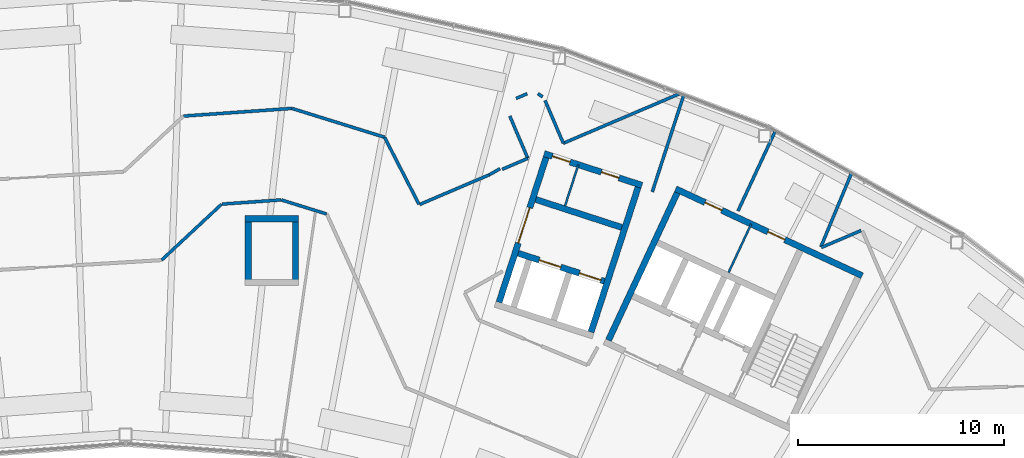
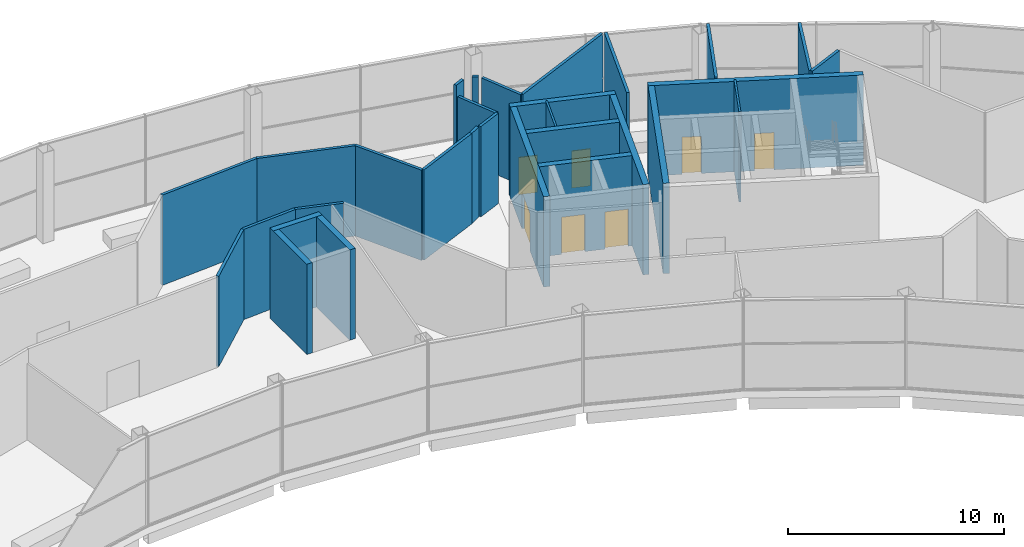
# One storey, part 39 of 43: 30 walls, 7 doors, 7 openings.
"""IFC4 building model written with IfcOpenShell, lengths in metres."""

import ifcopenshell
import ifcopenshell.guid

model = None  # the IFC model being written
_history = None  # IfcOwnerHistory: only IFC2X3 demands one
_inside = {}  # id of a spatial element -> (the spatial element, [elements in it])
_under = {}  # id of a project, library or spatial element -> (it, [spatial elements below it])
_declared = {}  # id of a project -> (the project, [libraries it declares])
_typed = {}  # id of a type object -> (the type object, [elements of that type])
_made_of = {}  # id of a material, layer set ... -> (it, [elements and type objects made of it])


def new_model(schema):
    """Start an empty IFC model of exactly this schema.

    Asked for "IFC4X3", IfcOpenShell would pick the latest addendum, in which some entities
    have other attributes; the version numbers below select the first issue.
    IFC2X3 requires an IfcOwnerHistory on every rooted entity: one is made here for all.
    """
    global model, _history
    if schema == "IFC4X3":
        model = ifcopenshell.file(schema_version=(4, 3, 0, 0))
    else:
        model = ifcopenshell.file(schema=schema)
    _inside.clear()
    _under.clear()
    _declared.clear()
    _typed.clear()
    _made_of.clear()
    _history = None
    if model.schema == "IFC2X3":
        org = make("IfcOrganization", Name="unknown")
        user = make(
            "IfcPersonAndOrganization",
            ThePerson=make("IfcPerson", FamilyName="unknown"),
            TheOrganization=org,
        )
        app = make(
            "IfcApplication",
            ApplicationDeveloper=org,
            Version="unknown",
            ApplicationFullName="unknown",
            ApplicationIdentifier="unknown",
        )
        _history = make(
            "IfcOwnerHistory",
            OwningUser=user,
            OwningApplication=app,
            ChangeAction="ADDED",
            CreationDate=0,
        )
    return model


def make(cls, **values):
    """One entity of the class cls with the attributes given. An attribute that is None is left unset."""
    return model.create_entity(
        cls, **{name: value for name, value in values.items() if value is not None}
    )


def rooted(cls, **values):
    """An entity with a GlobalId (a new one), such as an element, a storey or a relation."""
    return make(cls, GlobalId=ifcopenshell.guid.new(), OwnerHistory=_history, **values)


def si_unit(unit_type, name, prefix=None):
    """IfcSIUnit, for example si_unit("LENGTHUNIT", "METRE", prefix="MILLI")."""
    return make("IfcSIUnit", UnitType=unit_type, Prefix=prefix, Name=name)


def assignment(units):
    """IfcUnitAssignment: the units of a project."""
    return None if units is None else make("IfcUnitAssignment", Units=units)


def point(xyz):
    """IfcCartesianPoint."""
    return None if xyz is None else make("IfcCartesianPoint", Coordinates=xyz)


def direction(xyz):
    """IfcDirection."""
    return None if xyz is None else make("IfcDirection", DirectionRatios=xyz)


def frame(location, z_axis=None, x_axis=None):
    """IfcAxis2Placement3D, a coordinate frame: its origin and axes. An axis left out is left unset."""
    return make(
        "IfcAxis2Placement3D",
        Location=point(location),
        Axis=direction(z_axis),
        RefDirection=direction(x_axis),
    )


def frame_2d(location, x_axis=None):
    """IfcAxis2Placement2D, a coordinate frame in the plane: its origin and x axis."""
    return make(
        "IfcAxis2Placement2D", Location=point(location), RefDirection=direction(x_axis)
    )


def origin():
    """The frame at (0, 0, 0) with its axes left unset."""
    return frame((0.0, 0.0, 0.0))


def place(relative_to, where):
    """IfcLocalPlacement: puts the frame where relative to a parent placement (None: the world)."""
    return make(
        "IfcLocalPlacement", PlacementRelTo=relative_to, RelativePlacement=where
    )


def context(
    kind, dimensions, precision=None, world=None, true_north=None, identifier=None
):
    """IfcGeometricRepresentationContext, for example the 3D "Model" context."""
    return make(
        "IfcGeometricRepresentationContext",
        ContextIdentifier=identifier,
        ContextType=kind,
        CoordinateSpaceDimension=dimensions,
        Precision=precision,
        WorldCoordinateSystem=world,
        TrueNorth=true_north,
    )


def subcontext(parent, identifier, kind, view, scale=None):
    """IfcGeometricRepresentationSubContext, for example "Body" below "Model"."""
    return make(
        "IfcGeometricRepresentationSubContext",
        ContextIdentifier=identifier,
        ContextType=kind,
        ParentContext=parent,
        TargetScale=scale,
        TargetView=view,
    )


def project(units=None, contexts=None):
    """IfcProject with its units and contexts."""
    return rooted(
        "IfcProject",
        Name="project",
        RepresentationContexts=contexts,
        UnitsInContext=assignment(units),
    )


def spatial(cls, under=None, at=None, **own):
    """A site, building, storey or space (cls), placed at a placement, below another one or the project."""
    s = rooted(cls, ObjectPlacement=at, **own)
    if under is not None:
        _under.setdefault(under.id(), (under, []))[1].append(s)
    return s


def profile(cls, at=None, kind="AREA", **sizes):
    """A parametric profile (cls). Its sizes go by their IFC names, for example OverallWidth=200.0."""
    return make(cls, ProfileType=kind, Position=at, **sizes)


def rectangle(**sizes):
    """IfcRectangleProfileDef."""
    return profile("IfcRectangleProfileDef", **sizes)


def extrude(swept, where, along, depth):
    """IfcExtrudedAreaSolid: the profile swept, set in the frame where, extruded along a direction by depth."""
    return make(
        "IfcExtrudedAreaSolid",
        SweptArea=swept,
        Position=where,
        ExtrudedDirection=direction(along),
        Depth=depth,
    )


def shape(context_of_items, identifier, shape_type, items):
    """IfcShapeRepresentation: the items that make up one representation, for example the "Body"."""
    return make(
        "IfcShapeRepresentation",
        ContextOfItems=context_of_items,
        RepresentationIdentifier=identifier,
        RepresentationType=shape_type,
        Items=items,
    )


def material(Name=None, Category=None):
    """IfcMaterial."""
    return make("IfcMaterial", Name=Name, Category=Category)


def layer(
    of_material, thickness, ventilated=None, Name=None, Category=None, Priority=None
):
    """IfcMaterialLayer: one layer of a wall or slab, of a material (None: an air gap)."""
    return make(
        "IfcMaterialLayer",
        Material=of_material,
        LayerThickness=thickness,
        IsVentilated=ventilated,
        Name=Name,
        Category=Category,
        Priority=Priority,
    )


def layer_set(layers, Name=None):
    """IfcMaterialLayerSet."""
    return make("IfcMaterialLayerSet", MaterialLayers=layers, LayerSetName=Name)


def made_of(thing, what):
    """Note that an element or type object is made of a material, layer set ...; save() writes the relation."""
    if what is not None:
        _made_of.setdefault(what.id(), (what, []))[1].append(thing)
    return thing


def type_object(cls, material=None, **own):
    """A type object (cls), such as IfcWallType, which elements share."""
    return made_of(rooted(cls, **own), material)


def element(
    cls,
    number,
    at=None,
    inside=None,
    cuts=None,
    type_object=None,
    material=None,
    context=None,
    identifier="Body",
    shape_type=None,
    held_by="IfcProductDefinitionShape",
    body=None,
    shapes=None,
    **own,
):
    """One element of the class cls, such as IfcWall. Its Tag is "e" and its number.

    at: its placement. inside: the storey or other place that contains it. cuts: it is an
    opening in that element (IfcRelVoidsElement). A single representation is given by context,
    identifier, shape_type and body (its items); several are given by shapes. held_by: the class
    of the entity that holds the representations. save() writes the other relations.
    """
    e = rooted(cls, Tag="e%d" % number, ObjectPlacement=at, **own)
    if body is not None:
        shapes = [shape(context, identifier, shape_type, body)]
    if shapes is not None:
        e.Representation = make(held_by, Representations=shapes)
    if inside is not None:
        _inside.setdefault(inside.id(), (inside, []))[1].append(e)
    if cuts is not None:
        rooted(
            "IfcRelVoidsElement", RelatingBuildingElement=cuts, RelatedOpeningElement=e
        )
    if type_object is not None:
        _typed.setdefault(type_object.id(), (type_object, []))[1].append(e)
    return made_of(e, material)


def fill(opening, filler):
    """IfcRelFillsElement: the door or window that sits in an opening."""
    return rooted(
        "IfcRelFillsElement",
        RelatingOpeningElement=opening,
        RelatedBuildingElement=filler,
    )


def aggregate(whole, parts):
    """IfcRelAggregates: a whole, such as a stair, and the parts it consists of."""
    return rooted("IfcRelAggregates", RelatingObject=whole, RelatedObjects=parts)


def save(model, path):
    """Write the relations noted so far, then the file.

    IfcRelAggregates (storeys below a building ...), IfcRelContainedInSpatialStructure (elements
    in a storey), IfcRelDefinesByType, IfcRelAssociatesMaterial and IfcRelDeclares: one each for
    every whole, place, type object, material and project.
    """
    for whole, parts in _under.values():
        aggregate(whole, parts)
    for where, things in _inside.values():
        rooted(
            "IfcRelContainedInSpatialStructure",
            RelatedElements=things,
            RelatingStructure=where,
        )
    for kind, things in _typed.values():
        rooted("IfcRelDefinesByType", RelatedObjects=things, RelatingType=kind)
    for what, things in _made_of.values():
        rooted("IfcRelAssociatesMaterial", RelatedObjects=things, RelatingMaterial=what)
    for by, libraries in _declared.values():
        rooted("IfcRelDeclares", RelatingContext=by, RelatedDefinitions=libraries)
    model.write(path)


model = new_model("IFC4")

# Units and contexts
model_context = context("Model", 3, precision=1e-05, world=origin(), true_north=direction((0.0, 1.0)))
body_context = subcontext(model_context, "Body", "Model", "MODEL_VIEW")
ifc_project = project(units=[si_unit("LENGTHUNIT", "METRE"), si_unit("AREAUNIT", "SQUARE_METRE"), si_unit("VOLUMEUNIT", "CUBIC_METRE"), si_unit("PLANEANGLEUNIT", "RADIAN"), si_unit("MASSUNIT", "GRAM", prefix="KILO")], contexts=[model_context])

# Site, building, storey
site_placement = place(None, origin())
site = spatial("IfcSite", under=ifc_project, at=site_placement, CompositionType="ELEMENT")
building_placement = place(site_placement, origin())
building = spatial("IfcBuilding", under=site, at=building_placement, Name="Tuul Gate Civic Tower", CompositionType="ELEMENT")
storey_placement = place(building_placement, frame((0.0, 0.0, 349.10009765625)))
storey = spatial("IfcBuildingStorey", under=building, at=storey_placement, Name="Observation level 1", CompositionType="ELEMENT", Elevation=349.10009765625)

# Wall, openings, doors
ifc_material_1 = material(Name="Concrete C50/60", Category="concrete")
ifc_layer_1 = layer(ifc_material_1, 0.300048828125)
ifc_layer_set_1 = layer_set([ifc_layer_1], Name="Concrete C50/60")
wall_type_1 = type_object("IfcWallType", Name="Core wall C50/60", PredefinedType="SHEAR", material=ifc_layer_set_1)
wall_1_placement = place(storey_placement, frame((37.993408203125, 0.181884765625, 0.0), z_axis=(0.0, 0.0, 1.0), x_axis=(-0.906310338845, 0.422612789327, 0.0)))
wall_1 = element("IfcWall", 1, at=wall_1_placement, inside=storey, type_object=wall_type_1, Name="Core wall", PredefinedType="SHEAR", context=body_context, shape_type="SweptSolid", body=[
    extrude(rectangle(XDim=9.999755859375, YDim=0.300048828125, at=frame_2d((5.0, 0.0))), origin(), (0.0, 0.0, 1.0), 5.099853515625),
])
opening_1_placement = place(wall_1_placement, frame((4.14990234375, 0.0, 0.0)))
opening_1 = element("IfcOpeningElement", 2, at=opening_1_placement, cuts=wall_1, Name="Opening AD-D19", PredefinedType="OPENING", context=body_context, shape_type="SweptSolid", body=[
    extrude(rectangle(XDim=0.89990234375, YDim=2.10009765625, at=frame_2d((0.449951171875, 1.050048828125))), frame((0.0, 0.16015625, 0.0), z_axis=(0.0, -1.0, 0.0), x_axis=(1.0, 0.0, 0.0)), (0.0, 0.0, 1.0), 0.320068359375),
])
opening_2_placement = place(wall_1_placement, frame((7.52490234375, 0.0, 0.0)))
opening_2 = element("IfcOpeningElement", 3, at=opening_2_placement, cuts=wall_1, Name="Opening AD-D20", PredefinedType="OPENING", context=body_context, shape_type="SweptSolid", body=[
    extrude(rectangle(XDim=0.89990234375, YDim=2.10009765625, at=frame_2d((0.449951171875, 1.050048828125))), frame((0.0, 0.16015625, 0.0), z_axis=(0.0, -1.0, 0.0), x_axis=(1.0, 0.0, 0.0)), (0.0, 0.0, 1.0), 0.320068359375),
])
ifc_material_2 = material(Name="Timber door leaf", Category="wood")
door_type_1 = type_object("IfcDoorType", Name="Door D09", OperationType="NOTDEFINED", PredefinedType="DOOR", material=ifc_material_2)
door_1_placement = place(opening_1_placement, origin())
door_1 = element("IfcDoor", 4, at=door_1_placement, inside=storey, type_object=door_type_1, Name="Door AD-D19", OperationType="SINGLE_SWING_LEFT", OverallHeight=2.10009765625, OverallWidth=0.89990234375, PredefinedType="DOOR", context=body_context, shape_type="SweptSolid", body=[
    extrude(rectangle(XDim=0.89990234375, YDim=2.10009765625, at=frame_2d((0.449951171875, 1.050048828125))), frame((0.0, 0.02490234375, 0.0), z_axis=(0.0, -1.0, 0.0), x_axis=(1.0, 0.0, 0.0)), (0.0, 0.0, 1.0), 0.050048828125),
])
fill(opening_1, door_1)
door_2_placement = place(opening_2_placement, origin())
door_2 = element("IfcDoor", 5, at=door_2_placement, inside=storey, type_object=door_type_1, Name="Door AD-D20", OperationType="SINGLE_SWING_RIGHT", OverallHeight=2.10009765625, OverallWidth=0.89990234375, PredefinedType="DOOR", context=body_context, shape_type="SweptSolid", body=[
    extrude(rectangle(XDim=0.89990234375, YDim=2.10009765625, at=frame_2d((0.449951171875, 1.050048828125))), frame((0.0, 0.02490234375, 0.0), z_axis=(0.0, -1.0, 0.0), x_axis=(1.0, 0.0, 0.0)), (0.0, 0.0, 1.0), 0.050048828125),
])
fill(opening_2, door_2)

# Walls
wall_2_placement = place(storey_placement, frame((25.66455078125, -2.951416015625, 0.0), z_axis=(0.0, 0.0, 1.0), x_axis=(0.422582604137, 0.906324413596, 0.0)))
element("IfcWall", 6, at=wall_2_placement, inside=storey, type_object=wall_type_1, Name="Core wall", PredefinedType="SHEAR", context=body_context, shape_type="SweptSolid", body=[
    extrude(rectangle(XDim=7.89990234375, YDim=0.300048828125, at=frame_2d((3.949951171875, 0.0))), origin(), (0.0, 0.0, 1.0), 5.099853515625),
])
for number, where, z_axis, x_axis, name in (
    (7, (10.449951171875, -0.300048828125, 0.0), (0.0, 0.0, 1.0), (0.0, 1.0, 0.0), "Core wall"),
    (8, (8.14990234375, 3.10009765625, 0.0), (0.0, 0.0, 1.0), (0.0, -1.0, 0.0), "Core wall"),
):
    element("IfcWall", number, at=place(storey_placement, frame(where, z_axis=z_axis, x_axis=x_axis)), inside=storey, type_object=wall_type_1, Name=name, PredefinedType="SHEAR", context=body_context, shape_type="SweptSolid", body=[
        extrude(rectangle(XDim=3.400146484375, YDim=0.300048828125, at=frame_2d((1.7001953125, 0.0))), origin(), (0.0, 0.0, 1.0), 5.099853515625),
    ])
wall_3_placement = place(storey_placement, frame((10.60009765625, 2.949951171875, 0.0), z_axis=(0.0, 0.0, 1.0), x_axis=(-1.0, 0.0, 0.0)))
element("IfcWall", 9, at=wall_3_placement, inside=storey, type_object=wall_type_1, Name="Core wall", PredefinedType="SHEAR", context=body_context, shape_type="SweptSolid", body=[
    extrude(rectangle(XDim=2.60009765625, YDim=0.300048828125, at=frame_2d((1.300048828125, 0.0))), origin(), (0.0, 0.0, 1.0), 5.099853515625),
])
ifc_material_3 = material(Name="Gypsum board partition")
ifc_layer_2 = layer(ifc_material_3, 0.14990234375)
ifc_layer_set_2 = layer_set([ifc_layer_2], Name="Gypsum board partition")
wall_type_2 = type_object("IfcWallType", Name="Corridor wall P150", PredefinedType="PARTITIONING", material=ifc_layer_set_2)
wall_4_placement = place(storey_placement, frame((36.013916015625, 1.555419921875, 0.0), z_axis=(0.0, 0.0, 1.0), x_axis=(0.91940948853, 0.393301655731, 0.0)))
element("IfcWall", 10, at=wall_4_placement, inside=storey, type_object=wall_type_2, Name="p011", PredefinedType="PARTITIONING", context=body_context, shape_type="SweptSolid", body=[
    extrude(rectangle(XDim=2.099365234375, YDim=0.14990234375, at=frame_2d((1.0498046875, 0.0))), origin(), (0.0, 0.0, 1.0), 5.099853515625),
])
wall_5_placement = place(storey_placement, frame((35.987548828125, 1.58154296875, 0.0), z_axis=(0.0, 0.0, 1.0), x_axis=(0.383343528513, 0.92360583538, 0.0)))
element("IfcWall", 11, at=wall_5_placement, inside=storey, type_object=wall_type_2, Name="p012", PredefinedType="PARTITIONING", context=body_context, shape_type="SweptSolid", body=[
    extrude(rectangle(XDim=3.912841796875, YDim=0.14990234375, at=frame_2d((1.95654296875, 0.0))), origin(), (0.0, 0.0, 1.0), 5.099853515625),
])
wall_6_placement = place(storey_placement, frame((31.957763671875, 3.328369140625, 0.0), z_axis=(0.0, 0.0, 1.0), x_axis=(0.422659848267, 0.906288393759, 0.0)))
element("IfcWall", 12, at=wall_6_placement, inside=storey, type_object=wall_type_2, Name="p013", PredefinedType="PARTITIONING", context=body_context, shape_type="SweptSolid", body=[
    extrude(rectangle(XDim=4.32470703125, YDim=0.14990234375, at=frame_2d((2.162353515625, 0.0))), origin(), (0.0, 0.0, 1.0), 5.099853515625),
])
wall_7_placement = place(storey_placement, frame((14.776123046875, 6.91650390625, 0.0), z_axis=(0.0, 0.0, 1.0), x_axis=(0.45711493022, -0.889407634648, 0.0)))
element("IfcWall", 13, at=wall_7_placement, inside=storey, type_object=wall_type_2, Name="p016", PredefinedType="PARTITIONING", context=body_context, shape_type="SweptSolid", body=[
    extrude(rectangle(XDim=3.668701171875, YDim=0.14990234375, at=frame_2d((1.83447265625, 0.0))), origin(), (0.0, 0.0, 1.0), 5.099853515625),
])
wall_8_placement = place(storey_placement, frame((27.792236328125, 4.257080078125, 0.0), z_axis=(0.0, 0.0, 1.0), x_axis=(0.309021732147, 0.951054976887, 0.0)))
element("IfcWall", 14, at=wall_8_placement, inside=storey, type_object=wall_type_2, Name="p019", PredefinedType="PARTITIONING", context=body_context, shape_type="SweptSolid", body=[
    extrude(rectangle(XDim=4.9765625, YDim=0.14990234375, at=frame_2d((2.48828125, 0.0))), origin(), (0.0, 0.0, 1.0), 5.099853515625),
])
wall_9_placement = place(storey_placement, frame((16.47412109375, 3.642578125, 0.0), z_axis=(0.0, 0.0, 1.0), x_axis=(0.919979288734, 0.391966973483, 0.0)))
element("IfcWall", 15, at=wall_9_placement, inside=storey, type_object=wall_type_2, Name="p022", PredefinedType="PARTITIONING", context=body_context, shape_type="SweptSolid", body=[
    extrude(rectangle(XDim=3.684326171875, YDim=0.14990234375, at=frame_2d((1.84228515625, 0.0))), origin(), (0.0, 0.0, 1.0), 5.099853515625),
])
wall_10_placement = place(storey_placement, frame((20.491943359375, 5.354248046875, 0.0), z_axis=(0.0, 0.0, 1.0), x_axis=(0.91996042513, 0.392011244985, 0.0)))
element("IfcWall", 16, at=wall_10_placement, inside=storey, type_object=wall_type_2, Name="p023", PredefinedType="PARTITIONING", context=body_context, shape_type="SweptSolid", body=[
    extrude(rectangle(XDim=1.359619140625, YDim=0.14990234375, at=frame_2d((0.6796875, 0.0))), origin(), (0.0, 0.0, 1.0), 5.099853515625),
])
wall_11_placement = place(storey_placement, frame((23.467529296875, 6.6220703125, 0.0), z_axis=(0.0, 0.0, 1.0), x_axis=(0.919978006064, 0.391969984003, 0.0)))
element("IfcWall", 17, at=wall_11_placement, inside=storey, type_object=wall_type_2, Name="p024", PredefinedType="PARTITIONING", context=body_context, shape_type="SweptSolid", body=[
    extrude(rectangle(XDim=6.169921875, YDim=0.14990234375, at=frame_2d((3.0849609375, 0.0))), origin(), (0.0, 0.0, 1.0), 5.099853515625),
])
wall_12_placement = place(storey_placement, frame((22.580810546875, 8.703125, 0.0), z_axis=(0.0, 0.0, 1.0), x_axis=(0.391990633765, -0.919969207659, 0.0)))
element("IfcWall", 18, at=wall_12_placement, inside=storey, type_object=wall_type_2, Name="p025", PredefinedType="PARTITIONING", context=body_context, shape_type="SweptSolid", body=[
    extrude(rectangle(XDim=2.26220703125, YDim=0.14990234375, at=frame_2d((1.131103515625, 0.0))), origin(), (0.0, 0.0, 1.0), 5.099853515625),
])
wall_13_placement = place(storey_placement, frame((22.23095703125, 9.032958984375, 0.0), z_axis=(0.0, 0.0, 1.0), x_axis=(0.83137650226, -0.555709556774, 0.0)))
element("IfcWall", 19, at=wall_13_placement, inside=storey, type_object=wall_type_2, Name="p026", PredefinedType="PARTITIONING", context=body_context, shape_type="SweptSolid", body=[
    extrude(rectangle(XDim=0.279052734375, YDim=0.14990234375, at=frame_2d((0.1396484375, 0.0))), origin(), (0.0, 0.0, 1.0), 5.099853515625),
])
wall_14_placement = place(storey_placement, frame((21.173828125, 8.802001953125, 0.0), z_axis=(0.0, 0.0, 1.0), x_axis=(0.919663400048, 0.392707563731, 0.0)))
element("IfcWall", 20, at=wall_14_placement, inside=storey, type_object=wall_type_2, Name="p027", PredefinedType="PARTITIONING", context=body_context, shape_type="SweptSolid", body=[
    extrude(rectangle(XDim=0.583740234375, YDim=0.14990234375, at=frame_2d((0.2919921875, 0.0))), origin(), (0.0, 0.0, 1.0), 5.099853515625),
])
wall_15_placement = place(storey_placement, frame((20.8671875, 7.941650390625, 0.0), z_axis=(0.0, 0.0, 1.0), x_axis=(0.391992283499, -0.91996850472, 0.0)))
element("IfcWall", 21, at=wall_15_placement, inside=storey, type_object=wall_type_2, Name="p028", PredefinedType="PARTITIONING", context=body_context, shape_type="SweptSolid", body=[
    extrude(rectangle(XDim=2.2333984375, YDim=0.14990234375, at=frame_2d((1.11669921875, 0.0))), origin(), (0.0, 0.0, 1.0), 5.099853515625),
])
wall_16_placement = place(storey_placement, frame((19.86376953125, 5.086181640625, 0.0), z_axis=(0.0, 0.0, 1.0), x_axis=(0.870205095885, 0.492689649876, 0.0)))
element("IfcWall", 22, at=wall_16_placement, inside=storey, type_object=wall_type_2, Name="p029", PredefinedType="PARTITIONING", context=body_context, shape_type="SweptSolid", body=[
    extrude(rectangle(XDim=0.610595703125, YDim=0.14990234375, at=frame_2d((0.30517578125, 0.0))), origin(), (0.0, 0.0, 1.0), 5.099853515625),
])
wall_17_placement = place(storey_placement, frame((10.275146484375, 8.31591796875, 0.0), z_axis=(0.0, 0.0, 1.0), x_axis=(0.954895620367, -0.296941668017, 0.0)))
element("IfcWall", 23, at=wall_17_placement, inside=storey, type_object=wall_type_2, Name="p030", PredefinedType="PARTITIONING", context=body_context, shape_type="SweptSolid", body=[
    extrude(rectangle(XDim=4.713623046875, YDim=0.14990234375, at=frame_2d((2.35693359375, 0.0))), origin(), (0.0, 0.0, 1.0), 5.099853515625),
])
wall_18_placement = place(storey_placement, frame((4.9990234375, 7.943115234375, 0.0), z_axis=(0.0, 0.0, 1.0), x_axis=(0.997512999564, 0.070482733346, 0.0)))
element("IfcWall", 24, at=wall_18_placement, inside=storey, type_object=wall_type_2, Name="p031", PredefinedType="PARTITIONING", context=body_context, shape_type="SweptSolid", body=[
    extrude(rectangle(XDim=5.289306640625, YDim=0.14990234375, at=frame_2d((2.64453125, 0.0))), origin(), (0.0, 0.0, 1.0), 5.099853515625),
])
wall_19_placement = place(storey_placement, frame((9.763427734375, 3.8671875, 0.0), z_axis=(0.0, 0.0, 1.0), x_axis=(0.954914924959, -0.296879581802, 0.0)))
element("IfcWall", 25, at=wall_19_placement, inside=storey, type_object=wall_type_2, Name="p058", PredefinedType="PARTITIONING", context=body_context, shape_type="SweptSolid", body=[
    extrude(rectangle(XDim=2.3017578125, YDim=0.14990234375, at=frame_2d((1.15087890625, 0.0))), origin(), (0.0, 0.0, 1.0), 5.099853515625),
])
wall_20_placement = place(storey_placement, frame((3.940185546875, 0.942138671875, 0.0), z_axis=(0.0, 0.0, 1.0), x_axis=(0.731605181916, 0.681728580737, 0.0)))
element("IfcWall", 26, at=wall_20_placement, inside=storey, type_object=wall_type_2, Name="p062", PredefinedType="PARTITIONING", context=body_context, shape_type="SweptSolid", body=[
    extrude(rectangle(XDim=3.984375, YDim=0.14990234375, at=frame_2d((1.9921875, 0.0))), origin(), (0.0, 0.0, 1.0), 5.099853515625),
])
wall_21_placement = place(storey_placement, frame((6.868408203125, 3.664306640625, 0.0), z_axis=(0.0, 0.0, 1.0), x_axis=(0.997515760707, 0.070443645145, 0.0)))
element("IfcWall", 27, at=wall_21_placement, inside=storey, type_object=wall_type_2, Name="p063", PredefinedType="PARTITIONING", context=body_context, shape_type="SweptSolid", body=[
    extrude(rectangle(XDim=2.893798828125, YDim=0.14990234375, at=frame_2d((1.44677734375, 0.0))), origin(), (0.0, 0.0, 1.0), 5.099853515625),
])

# Wall, openings, doors
ifc_material_4 = material(Name="Concrete C40/50", Category="concrete")
ifc_layer_3 = layer(ifc_material_4, 0.300048828125)
ifc_layer_set_3 = layer_set([ifc_layer_3], Name="Concrete C40/50")
wall_type_3 = type_object("IfcWallType", Name="Lift shaft wall C40/50", PredefinedType="STANDARD", material=ifc_layer_set_3)
wall_22_placement = place(storey_placement, frame((25.460693359375, -0.0859375, 0.0), z_axis=(0.0, 0.0, 1.0), x_axis=(-0.951063829732, 0.308994485023, 0.0)))
wall_22 = element("IfcWall", 28, at=wall_22_placement, inside=storey, type_object=wall_type_3, Name="Shaft wall", PredefinedType="STANDARD", context=body_context, shape_type="SweptSolid", body=[
    extrude(rectangle(XDim=4.400146484375, YDim=0.300048828125, at=frame_2d((2.2001953125, 0.0))), origin(), (0.0, 0.0, 1.0), 5.099853515625),
])
opening_3_placement = place(wall_22_placement, frame((0.175048828125, 0.0, 0.0)))
opening_3 = element("IfcOpeningElement", 29, at=opening_3_placement, cuts=wall_22, Name="Opening LD-H2", PredefinedType="OPENING", context=body_context, shape_type="SweptSolid", body=[
    extrude(rectangle(XDim=1.10009765625, YDim=2.10009765625, at=frame_2d((0.550048828125, 1.050048828125))), frame((0.0, 0.16015625, 0.0), z_axis=(0.0, -1.0, 0.0), x_axis=(1.0, 0.0, 0.0)), (0.0, 0.0, 1.0), 0.320068359375),
])
opening_4_placement = place(wall_22_placement, frame((2.22509765625, 0.0, 0.0)))
opening_4 = element("IfcOpeningElement", 30, at=opening_4_placement, cuts=wall_22, Name="Opening LD-H3", PredefinedType="OPENING", context=body_context, shape_type="SweptSolid", body=[
    extrude(rectangle(XDim=1.10009765625, YDim=2.10009765625, at=frame_2d((0.550048828125, 1.050048828125))), frame((0.0, 0.16015625, 0.0), z_axis=(0.0, -1.0, 0.0), x_axis=(1.0, 0.0, 0.0)), (0.0, 0.0, 1.0), 0.320068359375),
])
ifc_material_5 = material(Name="Stainless steel", Category="steel")
door_type_2 = type_object("IfcDoorType", Name="Landing door", OperationType="DOUBLE_DOOR_SLIDING", PredefinedType="DOOR", material=ifc_material_5)
door_3_placement = place(opening_3_placement, origin())
door_3 = element("IfcDoor", 31, at=door_3_placement, inside=storey, type_object=door_type_2, Name="High-rise lift H2 landing door", OperationType="DOUBLE_DOOR_SLIDING", OverallHeight=2.10009765625, OverallWidth=1.10009765625, PredefinedType="DOOR", context=body_context, shape_type="SweptSolid", body=[
    extrude(rectangle(XDim=1.10009765625, YDim=2.10009765625, at=frame_2d((0.550048828125, 1.050048828125))), frame((0.0, 0.02490234375, 0.0), z_axis=(0.0, -1.0, 0.0), x_axis=(1.0, 0.0, 0.0)), (0.0, 0.0, 1.0), 0.050048828125),
])
fill(opening_3, door_3)
door_4_placement = place(opening_4_placement, origin())
door_4 = element("IfcDoor", 32, at=door_4_placement, inside=storey, type_object=door_type_2, Name="High-rise lift H3 landing door", OperationType="DOUBLE_DOOR_SLIDING", OverallHeight=2.10009765625, OverallWidth=1.10009765625, PredefinedType="DOOR", context=body_context, shape_type="SweptSolid", body=[
    extrude(rectangle(XDim=1.10009765625, YDim=2.10009765625, at=frame_2d((0.550048828125, 1.050048828125))), frame((0.0, 0.02490234375, 0.0), z_axis=(0.0, -1.0, 0.0), x_axis=(1.0, 0.0, 0.0)), (0.0, 0.0, 1.0), 0.050048828125),
])
fill(opening_4, door_4)

# Wall
wall_23_placement = place(storey_placement, frame((26.310546875, 2.529541015625, 0.0), z_axis=(0.0, 0.0, 1.0), x_axis=(-0.951058531764, 0.30901079133, 0.0)))
element("IfcWall", 33, at=wall_23_placement, inside=storey, type_object=wall_type_3, Name="Shaft wall", PredefinedType="STANDARD", context=body_context, shape_type="SweptSolid", body=[
    extrude(rectangle(XDim=4.39990234375, YDim=0.300048828125, at=frame_2d((2.199951171875, 0.0))), origin(), (0.0, 0.0, 1.0), 5.099853515625),
])

# Wall, openings, doors
wall_24_placement = place(storey_placement, frame((27.29150390625, 4.57666015625, 0.0), z_axis=(0.0, 0.0, 1.0), x_axis=(-0.951067792613, 0.308982287281, 0.0)))
wall_24 = element("IfcWall", 34, at=wall_24_placement, inside=storey, type_object=wall_type_3, Name="Shaft wall", PredefinedType="STANDARD", context=body_context, shape_type="SweptSolid", body=[
    extrude(rectangle(XDim=5.0, YDim=0.300048828125, at=frame_2d((2.5, 0.0))), origin(), (0.0, 0.0, 1.0), 5.099853515625),
])
opening_5_placement = place(wall_24_placement, frame((1.175048828125, 0.0, 0.0)))
opening_5 = element("IfcOpeningElement", 35, at=opening_5_placement, cuts=wall_24, Name="Opening AD-D21", PredefinedType="OPENING", context=body_context, shape_type="SweptSolid", body=[
    extrude(rectangle(XDim=0.89990234375, YDim=2.10009765625, at=frame_2d((0.449951171875, 1.050048828125))), frame((0.0, 0.16015625, 0.0), z_axis=(0.0, -1.0, 0.0), x_axis=(1.0, 0.0, 0.0)), (0.0, 0.0, 1.0), 0.320068359375),
])
opening_6_placement = place(wall_24_placement, frame((3.675048828125, 0.0, 0.0)))
opening_6 = element("IfcOpeningElement", 36, at=opening_6_placement, cuts=wall_24, Name="Opening AD-D22", PredefinedType="OPENING", context=body_context, shape_type="SweptSolid", body=[
    extrude(rectangle(XDim=0.89990234375, YDim=2.10009765625, at=frame_2d((0.449951171875, 1.050048828125))), frame((0.0, 0.16015625, 0.0), z_axis=(0.0, -1.0, 0.0), x_axis=(1.0, 0.0, 0.0)), (0.0, 0.0, 1.0), 0.320068359375),
])
door_5_placement = place(opening_5_placement, origin())
door_5 = element("IfcDoor", 37, at=door_5_placement, inside=storey, type_object=door_type_1, Name="Door AD-D21", OperationType="SINGLE_SWING_LEFT", OverallHeight=2.10009765625, OverallWidth=0.89990234375, PredefinedType="DOOR", context=body_context, shape_type="SweptSolid", body=[
    extrude(rectangle(XDim=0.89990234375, YDim=2.10009765625, at=frame_2d((0.449951171875, 1.050048828125))), frame((0.0, 0.02490234375, 0.0), z_axis=(0.0, -1.0, 0.0), x_axis=(1.0, 0.0, 0.0)), (0.0, 0.0, 1.0), 0.050048828125),
])
fill(opening_5, door_5)
door_6_placement = place(opening_6_placement, origin())
door_6 = element("IfcDoor", 38, at=door_6_placement, inside=storey, type_object=door_type_1, Name="Door AD-D22", OperationType="SINGLE_SWING_RIGHT", OverallHeight=2.10009765625, OverallWidth=0.89990234375, PredefinedType="DOOR", context=body_context, shape_type="SweptSolid", body=[
    extrude(rectangle(XDim=0.89990234375, YDim=2.10009765625, at=frame_2d((0.449951171875, 1.050048828125))), frame((0.0, 0.02490234375, 0.0), z_axis=(0.0, -1.0, 0.0), x_axis=(1.0, 0.0, 0.0)), (0.0, 0.0, 1.0), 0.050048828125),
])
fill(opening_6, door_6)

# Wall
wall_25_placement = place(storey_placement, frame((24.815185546875, -2.557373046875, 0.0), z_axis=(0.0, 0.0, 1.0), x_axis=(0.30907264409, 0.951038432807, 0.0)))
element("IfcWall", 39, at=wall_25_placement, inside=storey, type_object=wall_type_3, Name="Shaft wall", PredefinedType="STANDARD", context=body_context, shape_type="SweptSolid", body=[
    extrude(rectangle(XDim=7.39990234375, YDim=0.300048828125, at=frame_2d((3.699951171875, 0.0))), origin(), (0.0, 0.0, 1.0), 5.099853515625),
])

# Wall, opening, door
wall_26_placement = place(storey_placement, frame((20.34521484375, -1.10498046875, 0.0), z_axis=(0.0, 0.0, 1.0), x_axis=(0.30907264409, 0.951038432807, 0.0)))
wall_26 = element("IfcWall", 40, at=wall_26_placement, inside=storey, type_object=wall_type_3, Name="Shaft wall", PredefinedType="STANDARD", context=body_context, shape_type="SweptSolid", body=[
    extrude(rectangle(XDim=7.39990234375, YDim=0.300048828125, at=frame_2d((3.699951171875, 0.0))), origin(), (0.0, 0.0, 1.0), 5.099853515625),
])
opening_7_placement = place(wall_26_placement, frame((3.02490234375, 0.0, 0.0)))
opening_7 = element("IfcOpeningElement", 41, at=opening_7_placement, cuts=wall_26, Name="Opening LB-E4-LOBBY-1", PredefinedType="OPENING", context=body_context, shape_type="SweptSolid", body=[
    extrude(rectangle(XDim=1.800048828125, YDim=2.10009765625, at=frame_2d((0.89990234375, 1.050048828125))), frame((0.0, 0.16015625, 0.0), z_axis=(0.0, -1.0, 0.0), x_axis=(1.0, 0.0, 0.0)), (0.0, 0.0, 1.0), 0.320068359375),
])
ifc_material_6 = material(Name="Steel", Category="steel")
door_type_3 = type_object("IfcDoorType", Name="Lobby door", OperationType="DOUBLE_DOOR_SINGLE_SWING", PredefinedType="DOOR", material=ifc_material_6)
door_7_placement = place(opening_7_placement, frame((1.800048828125, 0.0, 0.0), z_axis=(0.0, 0.0, 1.0), x_axis=(-1.0, 0.0, 0.0)))
door_7 = element("IfcDoor", 42, at=door_7_placement, inside=storey, type_object=door_type_3, Name="Lobby door E4-LOBBY", OperationType="DOUBLE_DOOR_SINGLE_SWING", OverallHeight=2.10009765625, OverallWidth=1.800048828125, PredefinedType="DOOR", context=body_context, shape_type="SweptSolid", body=[
    extrude(rectangle(XDim=1.800048828125, YDim=2.10009765625, at=frame_2d((0.900146484375, 1.050048828125))), frame((0.0, 0.02490234375, 0.0), z_axis=(0.0, -1.0, 0.0), x_axis=(1.0, 0.0, 0.0)), (0.0, 0.0, 1.0), 0.050048828125),
])
fill(opening_7, door_7)

# Walls
ifc_material_7 = material(Name="Gypsum board partition")
ifc_layer_4 = layer(ifc_material_7, 0.10009765625)
ifc_layer_set_4 = layer_set([ifc_layer_4], Name="Gypsum board partition")
wall_type_4 = type_object("IfcWallType", Name="Partition P100", PredefinedType="PARTITIONING", material=ifc_layer_set_4)
wall_27_placement = place(storey_placement, frame((31.502197265625, 0.33984375, 0.0), z_axis=(0.0, 0.0, 1.0), x_axis=(0.422556439746, 0.906336612539, 0.0)))
element("IfcWall", 43, at=wall_27_placement, inside=storey, type_object=wall_type_4, Name="bE3-BAND-0", PredefinedType="PARTITIONING", context=body_context, shape_type="SweptSolid", body=[
    extrude(rectangle(XDim=2.599853515625, YDim=0.10009765625, at=frame_2d((1.2998046875, 0.0))), origin(), (0.0, 0.0, 1.0), 5.099853515625),
])
wall_28_placement = place(storey_placement, frame((23.551513671875, 3.583740234375, 0.0), z_axis=(0.0, 0.0, 1.0), x_axis=(0.309033492816, 0.951051155468, 0.0)))
element("IfcWall", 44, at=wall_28_placement, inside=storey, type_object=wall_type_4, Name="bE4-BAND-0", PredefinedType="PARTITIONING", context=body_context, shape_type="SweptSolid", body=[
    extrude(rectangle(XDim=2.099853515625, YDim=0.10009765625, at=frame_2d((1.0498046875, 0.0))), origin(), (0.0, 0.0, 1.0), 5.099853515625),
])

save(model, "model.ifc")
